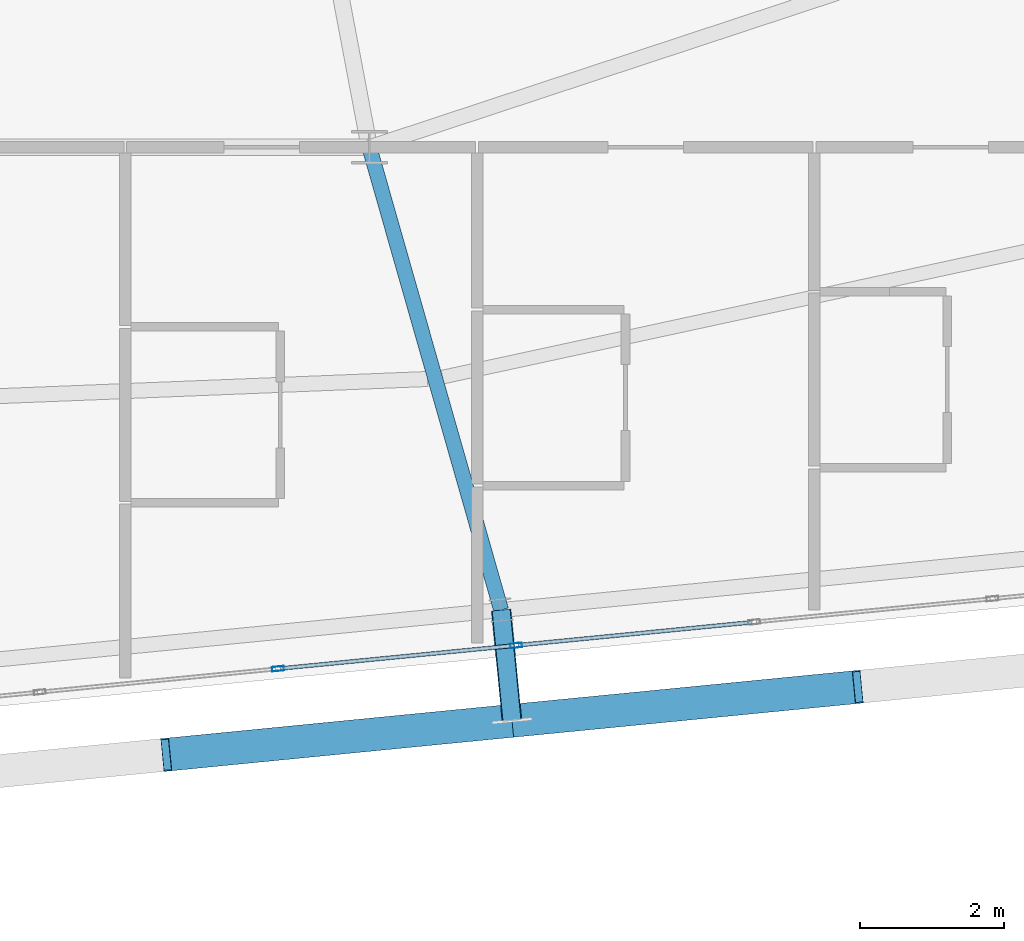
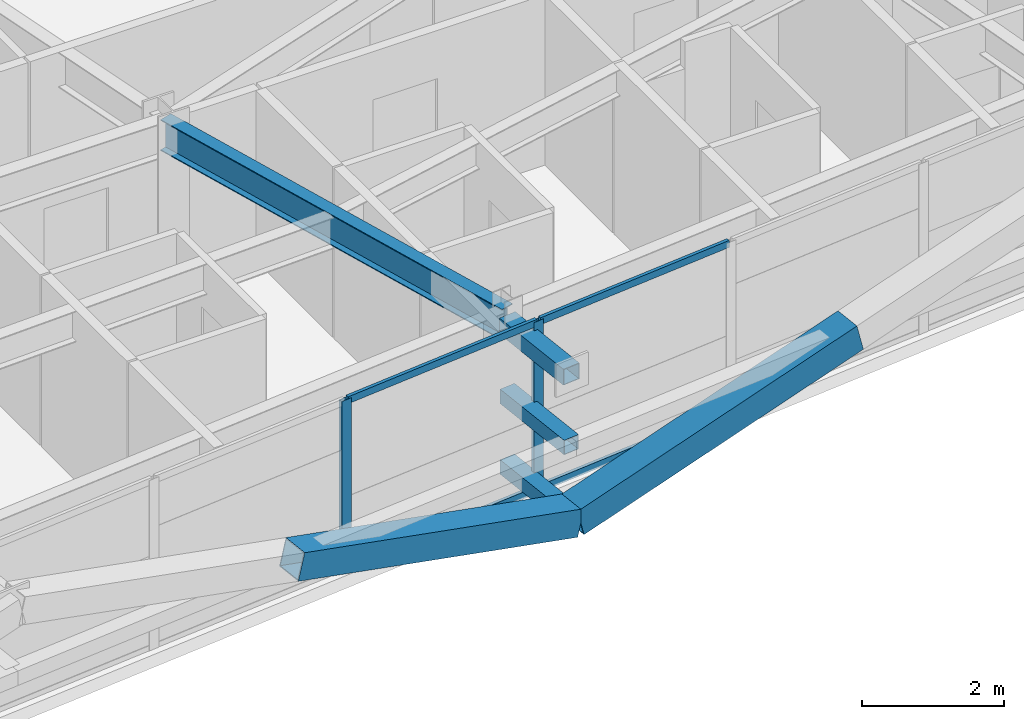
# One storey, part 17 of 54: 11 members, 1 beam, 1 element without a shape of its own.
"""IFC4 building model written with IfcOpenShell, lengths in metres."""

from ifc_helpers import new_model, si_unit, direction, frame, origin, origin_2d, place, context, subcontext, project, spatial, hollow_rectangle, i_section, extrude, source, transform, mapped, material, layer, layer_set, material_profile, profile_set, type_object, element, aggregate, save


model = new_model("IFC4")

# Units and contexts
model_context = context("Model", 3, precision=1e-05, world=origin(), true_north=direction((0.0, 1.0)))
body_context = subcontext(model_context, "Body", "Model", "MODEL_VIEW")
ifc_project = project(units=[si_unit("LENGTHUNIT", "METRE"), si_unit("AREAUNIT", "SQUARE_METRE"), si_unit("VOLUMEUNIT", "CUBIC_METRE"), si_unit("PLANEANGLEUNIT", "RADIAN"), si_unit("MASSUNIT", "GRAM", prefix="KILO")], contexts=[model_context])

# Site, building, storey
site_placement = place(None, origin())
site = spatial("IfcSite", under=ifc_project, at=site_placement, CompositionType="ELEMENT")
building_placement = place(site_placement, origin())
building = spatial("IfcBuilding", under=site, at=building_placement, Name="Taldren Reach Tower", CompositionType="ELEMENT")
storey_placement = place(building_placement, frame((0.0, 0.0, 102.89990234375)))
storey = spatial("IfcBuildingStorey", under=building, at=storey_placement, Name="L31", CompositionType="ELEMENT", Elevation=102.89990234375)

# Members
ifc_material_1 = material(Name="Steel Gr 450 (C450L0)", Category="steel")
ifc_material_profile_1 = material_profile(ifc_material_1, hollow_rectangle(XDim=0.27490234375, YDim=0.27490234375, WallThickness=0.00927734375, at=origin_2d()), Name="275x275x9.3SHS")
ifc_profile_set_1 = profile_set([ifc_material_profile_1], Name="Steel Gr 450 (C450L0)")
member_type_1 = type_object("IfcMemberType", Name="MB-TIE273", PredefinedType="STRUT", material=ifc_profile_set_1)
shared_shape_1 = source(origin(), body_context, "Body", "SweptSolid", [
    extrude(hollow_rectangle(XDim=0.27490234375, YDim=0.27490234375, WallThickness=0.00927734375, at=origin_2d()), origin(), (0.0, 0.0, 1.0), 1.5498046875),
])
member_1_placement = place(storey_placement, frame((43.83544921875, 2.75390625, 2.650146484375), z_axis=(0.097663201064, -0.995219523099, 0.0), x_axis=(0.995219523099, 0.097663201064, 0.0)))
element("IfcMember", 1, at=member_1_placement, inside=storey, type_object=member_type_1, Name="Exoskeleton diaphragm tie strut B2-S4 L31", PredefinedType="STRUT", context=body_context, shape_type="MappedRepresentation", body=[
    mapped(shared_shape_1, transform((0.0, 0.0, 0.0), scale=1.0)),
])
ifc_material_2 = material(Name="Steel Gr 350 (C350L0)", Category="steel")
ifc_material_profile_2 = material_profile(ifc_material_2, hollow_rectangle(XDim=0.25, YDim=0.25, WallThickness=0.010009765625, at=origin_2d()), Name="250x250x10.0SHS")
ifc_profile_set_2 = profile_set([ifc_material_profile_2], Name="Steel Gr 350 (C350L0)")
member_type_2 = type_object("IfcMemberType", Name="MB-POST250", PredefinedType="POST", material=ifc_profile_set_2)
shared_shape_2 = source(origin(), body_context, "Body", "SweptSolid", [
    extrude(hollow_rectangle(XDim=0.25, YDim=0.25, WallThickness=0.010009765625, at=origin_2d()), origin(), (0.0, 0.0, 1.0), 1.5498046875),
])
for number, where, z_axis, x_axis, name in (
    (2, (43.83544921875, 2.75390625, 0.22021484375), (0.097663201064, -0.995219523099, 0.0), (0.995219523099, 0.097663201064, 0.0), "Exoskeleton base diaphragm tie strut B2-S4 L31"),
    (3, (43.83544921875, 2.75390625, 1.43505859375), (0.097663201064, -0.995219523099, 0.0), (0.995219523099, 0.097663201064, 0.0), "Exoskeleton mid-tier diaphragm tie B2-S4 L31"),
):
    element("IfcMember", number, at=place(storey_placement, frame(where, z_axis=z_axis, x_axis=x_axis)), inside=storey, type_object=member_type_2, Name=name, PredefinedType="POST", context=body_context, shape_type="MappedRepresentation", body=[
        mapped(shared_shape_2, transform((0.0, 0.0, 0.0), scale=1.0)),
    ])

# Beam
ifc_material_3 = material(Name="Steel Gr 350 (350PLUS)", Category="steel")
ifc_material_profile_3 = material_profile(ifc_material_3, i_section(OverallWidth=0.208984375, OverallDepth=0.532958984375, WebThickness=0.01025390625, FlangeThickness=0.015625, at=origin_2d()), Name="530UB92.4")
ifc_profile_set_3 = profile_set([ifc_material_profile_3], Name="Steel Gr 350 (350PLUS)")
beam_type = type_object("IfcBeamType", Name="BM-UB530A", PredefinedType="BEAM", material=ifc_profile_set_3)
shared_shape_3 = source(origin(), body_context, "Body", "SweptSolid", [
    extrude(i_section(OverallWidth=0.208984375, OverallDepth=0.532958984375, WebThickness=0.01025390625, FlangeThickness=0.015625, at=origin_2d()), origin(), (0.0, 0.0, 1.0), 6.7021484375),
])
beam_placement = place(storey_placement, frame((42.0, 9.199951171875, 2.66357421875), z_axis=(0.273855026091, -0.961770983491, 0.0), x_axis=(0.961770983491, 0.273855026091, 0.0)))
element("IfcBeam", 4, at=beam_placement, inside=storey, type_object=beam_type, Name="Primary floor girder B2-S4 L31", PredefinedType="BEAM", context=body_context, shape_type="MappedRepresentation", body=[
    mapped(shared_shape_3, transform((0.0, 0.0, 0.0), scale=1.0)),
])

# Members
ifc_material_profile_4 = material_profile(ifc_material_1, hollow_rectangle(XDim=0.4599609375, YDim=0.4599609375, WallThickness=0.01611328125, at=origin_2d()), Name="460x460x16.0SHS")
ifc_profile_set_4 = profile_set([ifc_material_profile_4], Name="Steel Gr 450 (C450L0)")
member_type_3 = type_object("IfcMemberType", Name="MB-EXO457", PredefinedType="BRACE", material=ifc_profile_set_4)
shared_shape_4 = source(origin(), body_context, "Body", "SweptSolid", [
    extrude(hollow_rectangle(XDim=0.4599609375, YDim=0.4599609375, WallThickness=0.01611328125, at=origin_2d()), origin(), (0.0, 0.0, 1.0), 4.990234375),
])
for number, where, z_axis, x_axis, name in (
    (5, (43.98681640625, 1.21142578125, 0.22021484375), (-0.965282554799, -0.094669120301, 0.243448859234), (0.097605711627, -0.995225162995, 0.0), "Exoskeleton Diagrid Brace B2-S3 L31"),
    (6, (43.98681640625, 1.21142578125, 0.22021484375), (0.965287024526, 0.094620633828, 0.24344998652), (-0.097555749586, 0.995230061706, 0.0), "Exoskeleton Diagrid Brace B2-S4 L31"),
):
    element("IfcMember", number, at=place(storey_placement, frame(where, z_axis=z_axis, x_axis=x_axis)), inside=storey, type_object=member_type_3, Name=name, PredefinedType="BRACE", context=body_context, shape_type="MappedRepresentation", body=[
        mapped(shared_shape_4, transform((0.0, 0.0, 0.0), scale=1.0)),
    ])

# Curtain wall, members
ifc_material_4 = material(Name="Aluminium and Low-E Glass Unitised System", Category="aluminium")
ifc_layer = layer(ifc_material_4, 0.159912109375)
ifc_layer_set = layer_set([ifc_layer], Name="Aluminium and Low-E Glass Unitised System")
curtain_wall_type = type_object("IfcCurtainWallType", Name="CW-SYS-3", PredefinedType="NOTDEFINED", material=ifc_layer_set)
curtain_wall_placement = place(storey_placement, origin())
curtain_wall = element("IfcCurtainWall", 7, at=curtain_wall_placement, inside=storey, type_object=curtain_wall_type, Name="Unitised curtain wall CW-L31-S", PredefinedType="NOTDEFINED")
ifc_material_5 = material(Name="Anodised Aluminium 6063-T6", Category="aluminium")
ifc_material_profile_5 = material_profile(ifc_material_5, hollow_rectangle(XDim=0.06494140625, YDim=0.1650390625, WallThickness=0.00390625, at=origin_2d()), Name="ALU-165x65x4RHS")
ifc_profile_set_5 = profile_set([ifc_material_profile_5], Name="Anodised Aluminium 6063-T6")
member_type_4 = type_object("IfcMemberType", Name="CW-MUL-165", PredefinedType="MULLION", material=ifc_profile_set_5)
shared_shape_5 = source(origin(), body_context, "Body", "SweptSolid", [
    extrude(hollow_rectangle(XDim=0.06494140625, YDim=0.1650390625, WallThickness=0.00390625, at=origin_2d()), origin(), (0.0, 0.0, 1.0), 2.93017578125),
])
member_2_placement = place(storey_placement, frame((40.72705078125, 1.936767578125, 0.0), z_axis=(0.0, 0.0, 1.0), x_axis=(-0.097582999046, 0.995227390247, 0.0)))
member_2 = element("IfcMember", 8, at=member_2_placement, type_object=member_type_4, Name="CW-3 mullion 9", PredefinedType="MULLION", context=body_context, shape_type="MappedRepresentation", body=[
    mapped(shared_shape_5, transform((0.0, 0.0, 0.0), scale=1.0)),
])
member_3_placement = place(storey_placement, frame((44.044677734375, 2.261962890625, 0.0), z_axis=(0.0, 0.0, 1.0), x_axis=(-0.097582999046, 0.995227390247, 0.0)))
member_3 = element("IfcMember", 9, at=member_3_placement, type_object=member_type_4, Name="CW-3 mullion 10", PredefinedType="MULLION", context=body_context, shape_type="MappedRepresentation", body=[
    mapped(shared_shape_5, transform((0.0, 0.0, 0.0), scale=1.0)),
])
ifc_material_profile_6 = material_profile(ifc_material_5, hollow_rectangle(XDim=0.054931640625, YDim=0.1201171875, WallThickness=0.0029296875, at=origin_2d()), Name="ALU-120x55x3RHS")
ifc_profile_set_6 = profile_set([ifc_material_profile_6], Name="Anodised Aluminium 6063-T6")
member_type_5 = type_object("IfcMemberType", Name="CW-TRN-135", PredefinedType="USERDEFINED", material=ifc_profile_set_6)
shared_shape_6 = source(origin(), body_context, "Body", "SweptSolid", [
    extrude(hollow_rectangle(XDim=0.054931640625, YDim=0.1201171875, WallThickness=0.0029296875, at=origin_2d()), origin(), (0.0, 0.0, 1.0), 3.268310546875),
])
member_4_placement = place(storey_placement, frame((40.759521484375, 1.93994140625, 0.027587890625), z_axis=(0.99522980512, 0.097558367146, 0.0), x_axis=(-0.097558367146, 0.99522980512, 0.0)))
member_4 = element("IfcMember", 10, at=member_4_placement, type_object=member_type_5, Name="CW-3 transom 9.1", ObjectType="TRANSOM", PredefinedType="USERDEFINED", context=body_context, shape_type="MappedRepresentation", body=[
    mapped(shared_shape_6, transform((0.0, 0.0, 0.0), scale=1.0)),
])
member_5_placement = place(storey_placement, frame((40.759521484375, 1.93994140625, 2.902587890625), z_axis=(0.99522980512, 0.097558367146, 0.0), x_axis=(-0.097558367146, 0.99522980512, 0.0)))
member_5 = element("IfcMember", 11, at=member_5_placement, type_object=member_type_5, Name="CW-3 transom 9.2", ObjectType="TRANSOM", PredefinedType="USERDEFINED", context=body_context, shape_type="MappedRepresentation", body=[
    mapped(shared_shape_6, transform((0.0, 0.0, 0.0), scale=1.0)),
])
member_6_placement = place(storey_placement, frame((44.076904296875, 2.26513671875, 0.027587890625), z_axis=(0.99522980512, 0.097558367146, 0.0), x_axis=(-0.097558367146, 0.99522980512, 0.0)))
member_6 = element("IfcMember", 12, at=member_6_placement, type_object=member_type_5, Name="CW-3 transom 10.1", ObjectType="TRANSOM", PredefinedType="USERDEFINED", context=body_context, shape_type="MappedRepresentation", body=[
    mapped(shared_shape_6, transform((0.0, 0.0, 0.0), scale=1.0)),
])
member_7_placement = place(storey_placement, frame((44.076904296875, 2.26513671875, 2.902587890625), z_axis=(0.99522980512, 0.097558367146, 0.0), x_axis=(-0.097558367146, 0.99522980512, 0.0)))
member_7 = element("IfcMember", 13, at=member_7_placement, type_object=member_type_5, Name="CW-3 transom 10.2", ObjectType="TRANSOM", PredefinedType="USERDEFINED", context=body_context, shape_type="MappedRepresentation", body=[
    mapped(shared_shape_6, transform((0.0, 0.0, 0.0), scale=1.0)),
])
aggregate(curtain_wall, [member_2, member_3, member_4, member_5, member_6, member_7])

save(model, "model.ifc")
